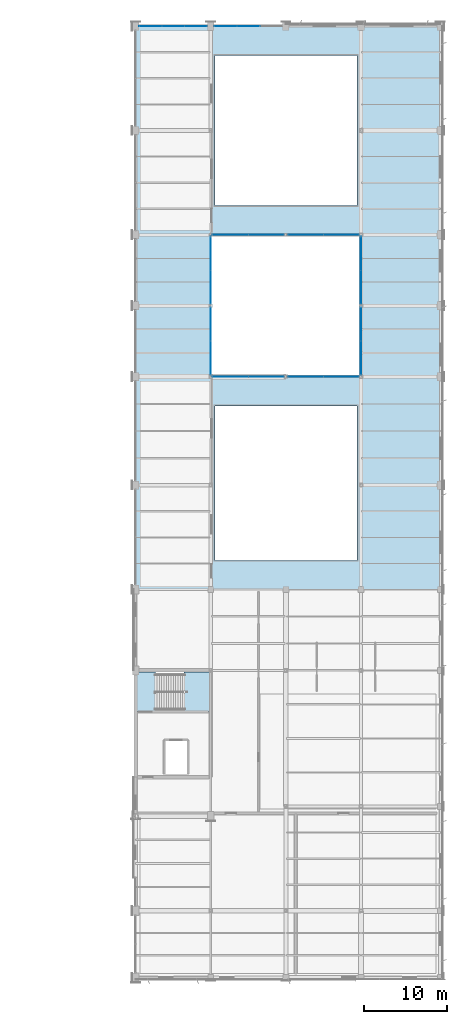
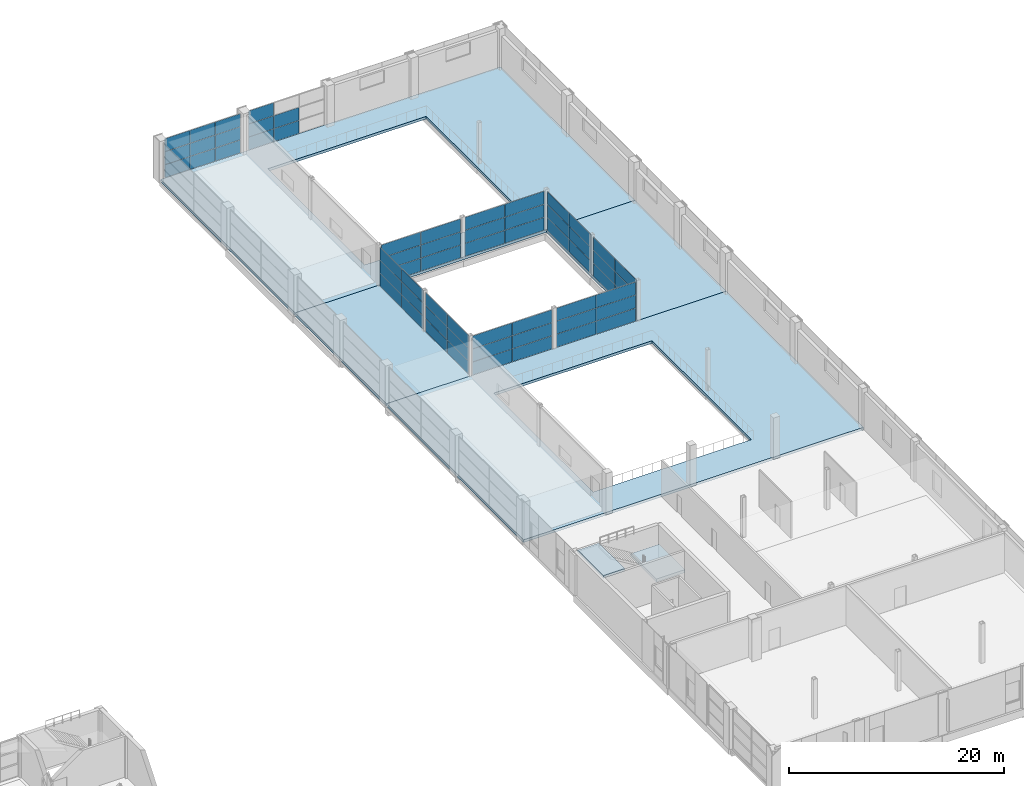
# One storey, part 88 of 112: 62 plates, 6 slabs, 11 elements without a shape of their own.
"""IFC4 building model written with IfcOpenShell, lengths in metres."""

import ifcopenshell
import ifcopenshell.guid

model = None  # the IFC model being written
_history = None  # IfcOwnerHistory: only IFC2X3 demands one
_inside = {}  # id of a spatial element -> (the spatial element, [elements in it])
_under = {}  # id of a project, library or spatial element -> (it, [spatial elements below it])
_declared = {}  # id of a project -> (the project, [libraries it declares])
_typed = {}  # id of a type object -> (the type object, [elements of that type])
_made_of = {}  # id of a material, layer set ... -> (it, [elements and type objects made of it])


def new_model(schema):
    """Start an empty IFC model of exactly this schema.

    Asked for "IFC4X3", IfcOpenShell would pick the latest addendum, in which some entities
    have other attributes; the version numbers below select the first issue.
    IFC2X3 requires an IfcOwnerHistory on every rooted entity: one is made here for all.
    """
    global model, _history
    if schema == "IFC4X3":
        model = ifcopenshell.file(schema_version=(4, 3, 0, 0))
    else:
        model = ifcopenshell.file(schema=schema)
    _inside.clear()
    _under.clear()
    _declared.clear()
    _typed.clear()
    _made_of.clear()
    _history = None
    if model.schema == "IFC2X3":
        org = make("IfcOrganization", Name="unknown")
        user = make(
            "IfcPersonAndOrganization",
            ThePerson=make("IfcPerson", FamilyName="unknown"),
            TheOrganization=org,
        )
        app = make(
            "IfcApplication",
            ApplicationDeveloper=org,
            Version="unknown",
            ApplicationFullName="unknown",
            ApplicationIdentifier="unknown",
        )
        _history = make(
            "IfcOwnerHistory",
            OwningUser=user,
            OwningApplication=app,
            ChangeAction="ADDED",
            CreationDate=0,
        )
    return model


def make(cls, **values):
    """One entity of the class cls with the attributes given. An attribute that is None is left unset."""
    return model.create_entity(
        cls, **{name: value for name, value in values.items() if value is not None}
    )


def rooted(cls, **values):
    """An entity with a GlobalId (a new one), such as an element, a storey or a relation."""
    return make(cls, GlobalId=ifcopenshell.guid.new(), OwnerHistory=_history, **values)


def si_unit(unit_type, name, prefix=None):
    """IfcSIUnit, for example si_unit("LENGTHUNIT", "METRE", prefix="MILLI")."""
    return make("IfcSIUnit", UnitType=unit_type, Prefix=prefix, Name=name)


def assignment(units):
    """IfcUnitAssignment: the units of a project."""
    return None if units is None else make("IfcUnitAssignment", Units=units)


def point(xyz):
    """IfcCartesianPoint."""
    return None if xyz is None else make("IfcCartesianPoint", Coordinates=xyz)


def direction(xyz):
    """IfcDirection."""
    return None if xyz is None else make("IfcDirection", DirectionRatios=xyz)


def frame(location, z_axis=None, x_axis=None):
    """IfcAxis2Placement3D, a coordinate frame: its origin and axes. An axis left out is left unset."""
    return make(
        "IfcAxis2Placement3D",
        Location=point(location),
        Axis=direction(z_axis),
        RefDirection=direction(x_axis),
    )


def frame_2d(location, x_axis=None):
    """IfcAxis2Placement2D, a coordinate frame in the plane: its origin and x axis."""
    return make(
        "IfcAxis2Placement2D", Location=point(location), RefDirection=direction(x_axis)
    )


def origin():
    """The frame at (0, 0, 0) with its axes left unset."""
    return frame((0.0, 0.0, 0.0))


def origin_2d():
    """The frame at (0, 0) in the plane with its x axis left unset."""
    return frame_2d((0.0, 0.0))


def place(relative_to, where):
    """IfcLocalPlacement: puts the frame where relative to a parent placement (None: the world)."""
    return make(
        "IfcLocalPlacement", PlacementRelTo=relative_to, RelativePlacement=where
    )


def context(
    kind, dimensions, precision=None, world=None, true_north=None, identifier=None
):
    """IfcGeometricRepresentationContext, for example the 3D "Model" context."""
    return make(
        "IfcGeometricRepresentationContext",
        ContextIdentifier=identifier,
        ContextType=kind,
        CoordinateSpaceDimension=dimensions,
        Precision=precision,
        WorldCoordinateSystem=world,
        TrueNorth=true_north,
    )


def subcontext(parent, identifier, kind, view, scale=None):
    """IfcGeometricRepresentationSubContext, for example "Body" below "Model"."""
    return make(
        "IfcGeometricRepresentationSubContext",
        ContextIdentifier=identifier,
        ContextType=kind,
        ParentContext=parent,
        TargetScale=scale,
        TargetView=view,
    )


def project(units=None, contexts=None):
    """IfcProject with its units and contexts."""
    return rooted(
        "IfcProject",
        Name="project",
        RepresentationContexts=contexts,
        UnitsInContext=assignment(units),
    )


def spatial(cls, under=None, at=None, **own):
    """A site, building, storey or space (cls), placed at a placement, below another one or the project."""
    s = rooted(cls, ObjectPlacement=at, **own)
    if under is not None:
        _under.setdefault(under.id(), (under, []))[1].append(s)
    return s


def polyline(points):
    """IfcPolyline through the points."""
    return make("IfcPolyline", Points=[point(p) for p in points])


def profile(cls, at=None, kind="AREA", **sizes):
    """A parametric profile (cls). Its sizes go by their IFC names, for example OverallWidth=200.0."""
    return make(cls, ProfileType=kind, Position=at, **sizes)


def rectangle(**sizes):
    """IfcRectangleProfileDef."""
    return profile("IfcRectangleProfileDef", **sizes)


def outline(outer, holes=None, kind="AREA"):
    """IfcArbitraryClosedProfileDef: a profile drawn as a closed curve; with holes, ...WithVoids."""
    if holes is None:
        return make("IfcArbitraryClosedProfileDef", ProfileType=kind, OuterCurve=outer)
    return make(
        "IfcArbitraryProfileDefWithVoids",
        ProfileType=kind,
        OuterCurve=outer,
        InnerCurves=holes,
    )


def extrude(swept, where, along, depth):
    """IfcExtrudedAreaSolid: the profile swept, set in the frame where, extruded along a direction by depth."""
    return make(
        "IfcExtrudedAreaSolid",
        SweptArea=swept,
        Position=where,
        ExtrudedDirection=direction(along),
        Depth=depth,
    )


def shape(context_of_items, identifier, shape_type, items):
    """IfcShapeRepresentation: the items that make up one representation, for example the "Body"."""
    return make(
        "IfcShapeRepresentation",
        ContextOfItems=context_of_items,
        RepresentationIdentifier=identifier,
        RepresentationType=shape_type,
        Items=items,
    )


def material(Name=None, Category=None):
    """IfcMaterial."""
    return make("IfcMaterial", Name=Name, Category=Category)


def layer(
    of_material, thickness, ventilated=None, Name=None, Category=None, Priority=None
):
    """IfcMaterialLayer: one layer of a wall or slab, of a material (None: an air gap)."""
    return make(
        "IfcMaterialLayer",
        Material=of_material,
        LayerThickness=thickness,
        IsVentilated=ventilated,
        Name=Name,
        Category=Category,
        Priority=Priority,
    )


def layer_set(layers, Name=None):
    """IfcMaterialLayerSet."""
    return make("IfcMaterialLayerSet", MaterialLayers=layers, LayerSetName=Name)


def made_of(thing, what):
    """Note that an element or type object is made of a material, layer set ...; save() writes the relation."""
    if what is not None:
        _made_of.setdefault(what.id(), (what, []))[1].append(thing)
    return thing


def type_object(cls, material=None, **own):
    """A type object (cls), such as IfcWallType, which elements share."""
    return made_of(rooted(cls, **own), material)


def element(
    cls,
    number,
    at=None,
    inside=None,
    cuts=None,
    type_object=None,
    material=None,
    context=None,
    identifier="Body",
    shape_type=None,
    held_by="IfcProductDefinitionShape",
    body=None,
    shapes=None,
    **own,
):
    """One element of the class cls, such as IfcWall. Its Tag is "e" and its number.

    at: its placement. inside: the storey or other place that contains it. cuts: it is an
    opening in that element (IfcRelVoidsElement). A single representation is given by context,
    identifier, shape_type and body (its items); several are given by shapes. held_by: the class
    of the entity that holds the representations. save() writes the other relations.
    """
    e = rooted(cls, Tag="e%d" % number, ObjectPlacement=at, **own)
    if body is not None:
        shapes = [shape(context, identifier, shape_type, body)]
    if shapes is not None:
        e.Representation = make(held_by, Representations=shapes)
    if inside is not None:
        _inside.setdefault(inside.id(), (inside, []))[1].append(e)
    if cuts is not None:
        rooted(
            "IfcRelVoidsElement", RelatingBuildingElement=cuts, RelatedOpeningElement=e
        )
    if type_object is not None:
        _typed.setdefault(type_object.id(), (type_object, []))[1].append(e)
    return made_of(e, material)


def aggregate(whole, parts):
    """IfcRelAggregates: a whole, such as a stair, and the parts it consists of."""
    return rooted("IfcRelAggregates", RelatingObject=whole, RelatedObjects=parts)


def save(model, path):
    """Write the relations noted so far, then the file.

    IfcRelAggregates (storeys below a building ...), IfcRelContainedInSpatialStructure (elements
    in a storey), IfcRelDefinesByType, IfcRelAssociatesMaterial and IfcRelDeclares: one each for
    every whole, place, type object, material and project.
    """
    for whole, parts in _under.values():
        aggregate(whole, parts)
    for where, things in _inside.values():
        rooted(
            "IfcRelContainedInSpatialStructure",
            RelatedElements=things,
            RelatingStructure=where,
        )
    for kind, things in _typed.values():
        rooted("IfcRelDefinesByType", RelatedObjects=things, RelatingType=kind)
    for what, things in _made_of.values():
        rooted("IfcRelAssociatesMaterial", RelatedObjects=things, RelatingMaterial=what)
    for by, libraries in _declared.values():
        rooted("IfcRelDeclares", RelatingContext=by, RelatedDefinitions=libraries)
    model.write(path)


model = new_model("IFC4")

# Units and contexts
model_context = context("Model", 3, precision=1e-05, world=origin(), true_north=direction((0.0, 1.0)))
body_context = subcontext(model_context, "Body", "Model", "MODEL_VIEW")
ifc_project = project(units=[si_unit("LENGTHUNIT", "METRE"), si_unit("AREAUNIT", "SQUARE_METRE"), si_unit("VOLUMEUNIT", "CUBIC_METRE"), si_unit("PLANEANGLEUNIT", "RADIAN"), si_unit("MASSUNIT", "GRAM", prefix="KILO")], contexts=[model_context])

# Site, building, storey
site_placement = place(None, origin())
site = spatial("IfcSite", under=ifc_project, at=site_placement, CompositionType="ELEMENT")
building_placement = place(site_placement, origin())
building = spatial("IfcBuilding", under=site, at=building_placement, Name="Solvikara Media Centre", CompositionType="ELEMENT")
storey_placement = place(building_placement, frame((0.0, 0.0, 5.39990234375)))
storey = spatial("IfcBuildingStorey", under=building, at=storey_placement, Name="L01", CompositionType="ELEMENT", Elevation=5.39990234375)

# Curtain wall, plates
ifc_material_1 = material(Name="Anodised aluminium EN AW-6063", Category="aluminium")
curtain_wall_type = type_object("IfcCurtainWallType", Name="CW-12", PredefinedType="NOTDEFINED", material=ifc_material_1)
curtain_wall_1_placement = place(storey_placement, origin())
curtain_wall_1 = element("IfcCurtainWall", 1, at=curtain_wall_1_placement, inside=storey, type_object=curtain_wall_type, Name="CW-L01-V2N-S1", PredefinedType="NOTDEFINED")
ifc_material_2 = material(Name="Ceramic-fritted teal low-E glass", Category="glass")
ifc_layer_1 = layer(ifc_material_2, 0.0380859375)
ifc_layer_set_1 = layer_set([ifc_layer_1], Name="Ceramic-fritted teal low-E glass")
plate_type = type_object("IfcPlateType", Name="PN-12", PredefinedType="CURTAIN_PANEL", material=ifc_layer_set_1)
plate_1_placement = place(storey_placement, frame((129.29296875, 114.0, 0.03466796875), z_axis=(0.0, 0.0, 1.0), x_axis=(1.0, 0.0, 0.0)))
plate_1 = element("IfcPlate", 2, at=plate_1_placement, type_object=plate_type, Name="CW-L01-V2N-S1-P0000", PredefinedType="CURTAIN_PANEL", context=body_context, shape_type="SweptSolid", body=[
    extrude(rectangle(XDim=2.677001953125, YDim=0.0380859375, at=origin_2d()), origin(), (0.0, 0.0, 1.0), 1.45703125),
])
plate_2_placement = place(storey_placement, frame((129.29296875, 114.0, 1.521484375), z_axis=(0.0, 0.0, 1.0), x_axis=(1.0, 0.0, 0.0)))
plate_2 = element("IfcPlate", 3, at=plate_2_placement, type_object=plate_type, Name="CW-L01-V2N-S1-P0001", PredefinedType="CURTAIN_PANEL", context=body_context, shape_type="SweptSolid", body=[
    extrude(rectangle(XDim=2.677001953125, YDim=0.0380859375, at=origin_2d()), origin(), (0.0, 0.0, 1.0), 1.45703125),
])
plate_3_placement = place(storey_placement, frame((129.29296875, 114.0, 3.008544921875), z_axis=(0.0, 0.0, 1.0), x_axis=(1.0, 0.0, 0.0)))
plate_3 = element("IfcPlate", 4, at=plate_3_placement, type_object=plate_type, Name="CW-L01-V2N-S1-P0002", PredefinedType="CURTAIN_PANEL", context=body_context, shape_type="SweptSolid", body=[
    extrude(rectangle(XDim=2.677001953125, YDim=0.0380859375, at=origin_2d()), origin(), (0.0, 0.0, 1.0), 1.45703125),
])
plate_4_placement = place(storey_placement, frame((132.0, 114.0, 0.03466796875), z_axis=(0.0, 0.0, 1.0), x_axis=(1.0, 0.0, 0.0)))
plate_4 = element("IfcPlate", 5, at=plate_4_placement, type_object=plate_type, Name="CW-L01-V2N-S1-P0100", PredefinedType="CURTAIN_PANEL", context=body_context, shape_type="SweptSolid", body=[
    extrude(rectangle(XDim=2.677001953125, YDim=0.0380859375, at=origin_2d()), origin(), (0.0, 0.0, 1.0), 1.45703125),
])
plate_5_placement = place(storey_placement, frame((132.0, 114.0, 1.521484375), z_axis=(0.0, 0.0, 1.0), x_axis=(1.0, 0.0, 0.0)))
plate_5 = element("IfcPlate", 6, at=plate_5_placement, type_object=plate_type, Name="CW-L01-V2N-S1-P0101", PredefinedType="CURTAIN_PANEL", context=body_context, shape_type="SweptSolid", body=[
    extrude(rectangle(XDim=2.677001953125, YDim=0.0380859375, at=origin_2d()), origin(), (0.0, 0.0, 1.0), 1.45703125),
])
plate_6_placement = place(storey_placement, frame((132.0, 114.0, 3.008544921875), z_axis=(0.0, 0.0, 1.0), x_axis=(1.0, 0.0, 0.0)))
plate_6 = element("IfcPlate", 7, at=plate_6_placement, type_object=plate_type, Name="CW-L01-V2N-S1-P0102", PredefinedType="CURTAIN_PANEL", context=body_context, shape_type="SweptSolid", body=[
    extrude(rectangle(XDim=2.677001953125, YDim=0.0380859375, at=origin_2d()), origin(), (0.0, 0.0, 1.0), 1.45703125),
])
plate_7_placement = place(storey_placement, frame((134.70703125, 114.0, 0.03466796875), z_axis=(0.0, 0.0, 1.0), x_axis=(1.0, 0.0, 0.0)))
plate_7 = element("IfcPlate", 8, at=plate_7_placement, type_object=plate_type, Name="CW-L01-V2N-S1-P0200", PredefinedType="CURTAIN_PANEL", context=body_context, shape_type="SweptSolid", body=[
    extrude(rectangle(XDim=2.677001953125, YDim=0.0380859375, at=origin_2d()), origin(), (0.0, 0.0, 1.0), 1.45703125),
])
plate_8_placement = place(storey_placement, frame((134.70703125, 114.0, 1.521484375), z_axis=(0.0, 0.0, 1.0), x_axis=(1.0, 0.0, 0.0)))
plate_8 = element("IfcPlate", 9, at=plate_8_placement, type_object=plate_type, Name="CW-L01-V2N-S1-P0201", PredefinedType="CURTAIN_PANEL", context=body_context, shape_type="SweptSolid", body=[
    extrude(rectangle(XDim=2.677001953125, YDim=0.0380859375, at=origin_2d()), origin(), (0.0, 0.0, 1.0), 1.45703125),
])
plate_9_placement = place(storey_placement, frame((134.70703125, 114.0, 3.008544921875), z_axis=(0.0, 0.0, 1.0), x_axis=(1.0, 0.0, 0.0)))
plate_9 = element("IfcPlate", 10, at=plate_9_placement, type_object=plate_type, Name="CW-L01-V2N-S1-P0202", PredefinedType="CURTAIN_PANEL", context=body_context, shape_type="SweptSolid", body=[
    extrude(rectangle(XDim=2.677001953125, YDim=0.0380859375, at=origin_2d()), origin(), (0.0, 0.0, 1.0), 1.45703125),
])
aggregate(curtain_wall_1, [plate_1, plate_2, plate_3, plate_4, plate_5, plate_6, plate_7, plate_8, plate_9])

curtain_wall_2_placement = place(storey_placement, origin())
curtain_wall_2 = element("IfcCurtainWall", 11, at=curtain_wall_2_placement, inside=storey, type_object=curtain_wall_type, Name="CW-L01-V2N-S2", PredefinedType="NOTDEFINED")
plate_10_placement = place(storey_placement, frame((138.29296875, 114.0, 0.03466796875), z_axis=(0.0, 0.0, 1.0), x_axis=(1.0, 0.0, 0.0)))
plate_10 = element("IfcPlate", 12, at=plate_10_placement, type_object=plate_type, Name="CW-L01-V2N-S2-P0000", PredefinedType="CURTAIN_PANEL", context=body_context, shape_type="SweptSolid", body=[
    extrude(rectangle(XDim=2.677001953125, YDim=0.0380859375, at=origin_2d()), origin(), (0.0, 0.0, 1.0), 1.45703125),
])
plate_11_placement = place(storey_placement, frame((138.29296875, 114.0, 1.521484375), z_axis=(0.0, 0.0, 1.0), x_axis=(1.0, 0.0, 0.0)))
plate_11 = element("IfcPlate", 13, at=plate_11_placement, type_object=plate_type, Name="CW-L01-V2N-S2-P0001", PredefinedType="CURTAIN_PANEL", context=body_context, shape_type="SweptSolid", body=[
    extrude(rectangle(XDim=2.677001953125, YDim=0.0380859375, at=origin_2d()), origin(), (0.0, 0.0, 1.0), 1.45703125),
])
plate_12_placement = place(storey_placement, frame((138.29296875, 114.0, 3.008544921875), z_axis=(0.0, 0.0, 1.0), x_axis=(1.0, 0.0, 0.0)))
plate_12 = element("IfcPlate", 14, at=plate_12_placement, type_object=plate_type, Name="CW-L01-V2N-S2-P0002", PredefinedType="CURTAIN_PANEL", context=body_context, shape_type="SweptSolid", body=[
    extrude(rectangle(XDim=2.677001953125, YDim=0.0380859375, at=origin_2d()), origin(), (0.0, 0.0, 1.0), 1.45703125),
])
plate_13_placement = place(storey_placement, frame((141.0, 114.0, 0.03466796875), z_axis=(0.0, 0.0, 1.0), x_axis=(1.0, 0.0, 0.0)))
plate_13 = element("IfcPlate", 15, at=plate_13_placement, type_object=plate_type, Name="CW-L01-V2N-S2-P0100", PredefinedType="CURTAIN_PANEL", context=body_context, shape_type="SweptSolid", body=[
    extrude(rectangle(XDim=2.677001953125, YDim=0.0380859375, at=origin_2d()), origin(), (0.0, 0.0, 1.0), 1.45703125),
])
plate_14_placement = place(storey_placement, frame((141.0, 114.0, 1.521484375), z_axis=(0.0, 0.0, 1.0), x_axis=(1.0, 0.0, 0.0)))
plate_14 = element("IfcPlate", 16, at=plate_14_placement, type_object=plate_type, Name="CW-L01-V2N-S2-P0101", PredefinedType="CURTAIN_PANEL", context=body_context, shape_type="SweptSolid", body=[
    extrude(rectangle(XDim=2.677001953125, YDim=0.0380859375, at=origin_2d()), origin(), (0.0, 0.0, 1.0), 1.45703125),
])
aggregate(curtain_wall_2, [plate_10, plate_11, plate_12, plate_13, plate_14])

curtain_wall_3_placement = place(storey_placement, origin())
curtain_wall_3 = element("IfcCurtainWall", 17, at=curtain_wall_3_placement, inside=storey, type_object=curtain_wall_type, Name="CW-L01-CRT-1-S1", PredefinedType="NOTDEFINED")
plate_15_placement = place(storey_placement, frame((138.8701171875, 72.0, 0.03466796875), z_axis=(0.0, 0.0, 1.0), x_axis=(1.0, 0.0, 0.0)))
plate_15 = element("IfcPlate", 18, at=plate_15_placement, type_object=plate_type, Name="CW-L01-CRT-1-S1-P0000", PredefinedType="CURTAIN_PANEL", context=body_context, shape_type="SweptSolid", body=[
    extrude(rectangle(XDim=4.22998046875, YDim=0.0380859375, at=origin_2d()), origin(), (0.0, 0.0, 1.0), 1.45703125),
])
plate_16_placement = place(storey_placement, frame((138.8701171875, 72.0, 1.521484375), z_axis=(0.0, 0.0, 1.0), x_axis=(1.0, 0.0, 0.0)))
plate_16 = element("IfcPlate", 19, at=plate_16_placement, type_object=plate_type, Name="CW-L01-CRT-1-S1-P0001", PredefinedType="CURTAIN_PANEL", context=body_context, shape_type="SweptSolid", body=[
    extrude(rectangle(XDim=4.22998046875, YDim=0.0380859375, at=origin_2d()), origin(), (0.0, 0.0, 1.0), 1.45703125),
])
plate_17_placement = place(storey_placement, frame((138.8701171875, 72.0, 3.008544921875), z_axis=(0.0, 0.0, 1.0), x_axis=(1.0, 0.0, 0.0)))
plate_17 = element("IfcPlate", 20, at=plate_17_placement, type_object=plate_type, Name="CW-L01-CRT-1-S1-P0002", PredefinedType="CURTAIN_PANEL", context=body_context, shape_type="SweptSolid", body=[
    extrude(rectangle(XDim=4.22998046875, YDim=0.0380859375, at=origin_2d()), origin(), (0.0, 0.0, 1.0), 1.45703125),
])
plate_18_placement = place(storey_placement, frame((143.1298828125, 72.0, 0.03466796875), z_axis=(0.0, 0.0, 1.0), x_axis=(1.0, 0.0, 0.0)))
plate_18 = element("IfcPlate", 21, at=plate_18_placement, type_object=plate_type, Name="CW-L01-CRT-1-S1-P0100", PredefinedType="CURTAIN_PANEL", context=body_context, shape_type="SweptSolid", body=[
    extrude(rectangle(XDim=4.22998046875, YDim=0.0380859375, at=origin_2d()), origin(), (0.0, 0.0, 1.0), 1.45703125),
])
plate_19_placement = place(storey_placement, frame((143.1298828125, 72.0, 1.521484375), z_axis=(0.0, 0.0, 1.0), x_axis=(1.0, 0.0, 0.0)))
plate_19 = element("IfcPlate", 22, at=plate_19_placement, type_object=plate_type, Name="CW-L01-CRT-1-S1-P0101", PredefinedType="CURTAIN_PANEL", context=body_context, shape_type="SweptSolid", body=[
    extrude(rectangle(XDim=4.22998046875, YDim=0.0380859375, at=origin_2d()), origin(), (0.0, 0.0, 1.0), 1.45703125),
])
plate_20_placement = place(storey_placement, frame((143.1298828125, 72.0, 3.008544921875), z_axis=(0.0, 0.0, 1.0), x_axis=(1.0, 0.0, 0.0)))
plate_20 = element("IfcPlate", 23, at=plate_20_placement, type_object=plate_type, Name="CW-L01-CRT-1-S1-P0102", PredefinedType="CURTAIN_PANEL", context=body_context, shape_type="SweptSolid", body=[
    extrude(rectangle(XDim=4.22998046875, YDim=0.0380859375, at=origin_2d()), origin(), (0.0, 0.0, 1.0), 1.45703125),
])
aggregate(curtain_wall_3, [plate_15, plate_16, plate_17, plate_18, plate_19, plate_20])

curtain_wall_4_placement = place(storey_placement, origin())
curtain_wall_4 = element("IfcCurtainWall", 24, at=curtain_wall_4_placement, inside=storey, type_object=curtain_wall_type, Name="CW-L01-CRT-1-S2", PredefinedType="NOTDEFINED")
plate_21_placement = place(storey_placement, frame((147.8701171875, 72.0, 0.03466796875), z_axis=(0.0, 0.0, 1.0), x_axis=(1.0, 0.0, 0.0)))
plate_21 = element("IfcPlate", 25, at=plate_21_placement, type_object=plate_type, Name="CW-L01-CRT-1-S2-P0000", PredefinedType="CURTAIN_PANEL", context=body_context, shape_type="SweptSolid", body=[
    extrude(rectangle(XDim=4.22998046875, YDim=0.0380859375, at=origin_2d()), origin(), (0.0, 0.0, 1.0), 1.45703125),
])
plate_22_placement = place(storey_placement, frame((147.8701171875, 72.0, 1.521484375), z_axis=(0.0, 0.0, 1.0), x_axis=(1.0, 0.0, 0.0)))
plate_22 = element("IfcPlate", 26, at=plate_22_placement, type_object=plate_type, Name="CW-L01-CRT-1-S2-P0001", PredefinedType="CURTAIN_PANEL", context=body_context, shape_type="SweptSolid", body=[
    extrude(rectangle(XDim=4.22998046875, YDim=0.0380859375, at=origin_2d()), origin(), (0.0, 0.0, 1.0), 1.45703125),
])
plate_23_placement = place(storey_placement, frame((147.8701171875, 72.0, 3.008544921875), z_axis=(0.0, 0.0, 1.0), x_axis=(1.0, 0.0, 0.0)))
plate_23 = element("IfcPlate", 27, at=plate_23_placement, type_object=plate_type, Name="CW-L01-CRT-1-S2-P0002", PredefinedType="CURTAIN_PANEL", context=body_context, shape_type="SweptSolid", body=[
    extrude(rectangle(XDim=4.22998046875, YDim=0.0380859375, at=origin_2d()), origin(), (0.0, 0.0, 1.0), 1.45703125),
])
plate_24_placement = place(storey_placement, frame((152.1298828125, 72.0, 0.03466796875), z_axis=(0.0, 0.0, 1.0), x_axis=(1.0, 0.0, 0.0)))
plate_24 = element("IfcPlate", 28, at=plate_24_placement, type_object=plate_type, Name="CW-L01-CRT-1-S2-P0100", PredefinedType="CURTAIN_PANEL", context=body_context, shape_type="SweptSolid", body=[
    extrude(rectangle(XDim=4.22998046875, YDim=0.0380859375, at=origin_2d()), origin(), (0.0, 0.0, 1.0), 1.45703125),
])
plate_25_placement = place(storey_placement, frame((152.1298828125, 72.0, 1.521484375), z_axis=(0.0, 0.0, 1.0), x_axis=(1.0, 0.0, 0.0)))
plate_25 = element("IfcPlate", 29, at=plate_25_placement, type_object=plate_type, Name="CW-L01-CRT-1-S2-P0101", PredefinedType="CURTAIN_PANEL", context=body_context, shape_type="SweptSolid", body=[
    extrude(rectangle(XDim=4.22998046875, YDim=0.0380859375, at=origin_2d()), origin(), (0.0, 0.0, 1.0), 1.45703125),
])
plate_26_placement = place(storey_placement, frame((152.1298828125, 72.0, 3.008544921875), z_axis=(0.0, 0.0, 1.0), x_axis=(1.0, 0.0, 0.0)))
plate_26 = element("IfcPlate", 30, at=plate_26_placement, type_object=plate_type, Name="CW-L01-CRT-1-S2-P0102", PredefinedType="CURTAIN_PANEL", context=body_context, shape_type="SweptSolid", body=[
    extrude(rectangle(XDim=4.22998046875, YDim=0.0380859375, at=origin_2d()), origin(), (0.0, 0.0, 1.0), 1.45703125),
])
aggregate(curtain_wall_4, [plate_21, plate_22, plate_23, plate_24, plate_25, plate_26])

curtain_wall_5_placement = place(storey_placement, origin())
curtain_wall_5 = element("IfcCurtainWall", 31, at=curtain_wall_5_placement, inside=storey, type_object=curtain_wall_type, Name="CW-L01-CRT-2-S1", PredefinedType="NOTDEFINED")
plate_27_placement = place(storey_placement, frame((154.5, 74.2451171875, 0.03466796875), z_axis=(0.0, 0.0, 1.0), x_axis=(0.0, 1.0, 0.0)))
plate_27 = element("IfcPlate", 32, at=plate_27_placement, type_object=plate_type, Name="CW-L01-CRT-2-S1-P0000", PredefinedType="CURTAIN_PANEL", context=body_context, shape_type="SweptSolid", body=[
    extrude(rectangle(XDim=3.97998046875, YDim=0.0380859375, at=origin_2d()), origin(), (0.0, 0.0, 1.0), 1.45703125),
])
plate_28_placement = place(storey_placement, frame((154.5, 74.2451171875, 1.521484375), z_axis=(0.0, 0.0, 1.0), x_axis=(0.0, 1.0, 0.0)))
plate_28 = element("IfcPlate", 33, at=plate_28_placement, type_object=plate_type, Name="CW-L01-CRT-2-S1-P0001", PredefinedType="CURTAIN_PANEL", context=body_context, shape_type="SweptSolid", body=[
    extrude(rectangle(XDim=3.97998046875, YDim=0.0380859375, at=origin_2d()), origin(), (0.0, 0.0, 1.0), 1.45703125),
])
plate_29_placement = place(storey_placement, frame((154.5, 74.2451171875, 3.008544921875), z_axis=(0.0, 0.0, 1.0), x_axis=(0.0, 1.0, 0.0)))
plate_29 = element("IfcPlate", 34, at=plate_29_placement, type_object=plate_type, Name="CW-L01-CRT-2-S1-P0002", PredefinedType="CURTAIN_PANEL", context=body_context, shape_type="SweptSolid", body=[
    extrude(rectangle(XDim=3.97998046875, YDim=0.0380859375, at=origin_2d()), origin(), (0.0, 0.0, 1.0), 1.45703125),
])
plate_30_placement = place(storey_placement, frame((154.5, 78.2548828125, 0.03466796875), z_axis=(0.0, 0.0, 1.0), x_axis=(0.0, 1.0, 0.0)))
plate_30 = element("IfcPlate", 35, at=plate_30_placement, type_object=plate_type, Name="CW-L01-CRT-2-S1-P0100", PredefinedType="CURTAIN_PANEL", context=body_context, shape_type="SweptSolid", body=[
    extrude(rectangle(XDim=3.97998046875, YDim=0.0380859375, at=origin_2d()), origin(), (0.0, 0.0, 1.0), 1.45703125),
])
plate_31_placement = place(storey_placement, frame((154.5, 78.2548828125, 1.521484375), z_axis=(0.0, 0.0, 1.0), x_axis=(0.0, 1.0, 0.0)))
plate_31 = element("IfcPlate", 36, at=plate_31_placement, type_object=plate_type, Name="CW-L01-CRT-2-S1-P0101", PredefinedType="CURTAIN_PANEL", context=body_context, shape_type="SweptSolid", body=[
    extrude(rectangle(XDim=3.97998046875, YDim=0.0380859375, at=origin_2d()), origin(), (0.0, 0.0, 1.0), 1.45703125),
])
plate_32_placement = place(storey_placement, frame((154.5, 78.2548828125, 3.008544921875), z_axis=(0.0, 0.0, 1.0), x_axis=(0.0, 1.0, 0.0)))
plate_32 = element("IfcPlate", 37, at=plate_32_placement, type_object=plate_type, Name="CW-L01-CRT-2-S1-P0102", PredefinedType="CURTAIN_PANEL", context=body_context, shape_type="SweptSolid", body=[
    extrude(rectangle(XDim=3.97998046875, YDim=0.0380859375, at=origin_2d()), origin(), (0.0, 0.0, 1.0), 1.45703125),
])
aggregate(curtain_wall_5, [plate_27, plate_28, plate_29, plate_30, plate_31, plate_32])

curtain_wall_6_placement = place(storey_placement, origin())
curtain_wall_6 = element("IfcCurtainWall", 38, at=curtain_wall_6_placement, inside=storey, type_object=curtain_wall_type, Name="CW-L01-CRT-2-S2", PredefinedType="NOTDEFINED")
plate_33_placement = place(storey_placement, frame((154.5, 82.7451171875, 0.03466796875), z_axis=(0.0, 0.0, 1.0), x_axis=(0.0, 1.0, 0.0)))
plate_33 = element("IfcPlate", 39, at=plate_33_placement, type_object=plate_type, Name="CW-L01-CRT-2-S2-P0000", PredefinedType="CURTAIN_PANEL", context=body_context, shape_type="SweptSolid", body=[
    extrude(rectangle(XDim=3.97998046875, YDim=0.0380859375, at=origin_2d()), origin(), (0.0, 0.0, 1.0), 1.45703125),
])
plate_34_placement = place(storey_placement, frame((154.5, 82.7451171875, 1.521484375), z_axis=(0.0, 0.0, 1.0), x_axis=(0.0, 1.0, 0.0)))
plate_34 = element("IfcPlate", 40, at=plate_34_placement, type_object=plate_type, Name="CW-L01-CRT-2-S2-P0001", PredefinedType="CURTAIN_PANEL", context=body_context, shape_type="SweptSolid", body=[
    extrude(rectangle(XDim=3.97998046875, YDim=0.0380859375, at=origin_2d()), origin(), (0.0, 0.0, 1.0), 1.45703125),
])
plate_35_placement = place(storey_placement, frame((154.5, 82.7451171875, 3.008544921875), z_axis=(0.0, 0.0, 1.0), x_axis=(0.0, 1.0, 0.0)))
plate_35 = element("IfcPlate", 41, at=plate_35_placement, type_object=plate_type, Name="CW-L01-CRT-2-S2-P0002", PredefinedType="CURTAIN_PANEL", context=body_context, shape_type="SweptSolid", body=[
    extrude(rectangle(XDim=3.97998046875, YDim=0.0380859375, at=origin_2d()), origin(), (0.0, 0.0, 1.0), 1.45703125),
])
plate_36_placement = place(storey_placement, frame((154.5, 86.7548828125, 0.03466796875), z_axis=(0.0, 0.0, 1.0), x_axis=(0.0, 1.0, 0.0)))
plate_36 = element("IfcPlate", 42, at=plate_36_placement, type_object=plate_type, Name="CW-L01-CRT-2-S2-P0100", PredefinedType="CURTAIN_PANEL", context=body_context, shape_type="SweptSolid", body=[
    extrude(rectangle(XDim=3.97998046875, YDim=0.0380859375, at=origin_2d()), origin(), (0.0, 0.0, 1.0), 1.45703125),
])
plate_37_placement = place(storey_placement, frame((154.5, 86.7548828125, 1.521484375), z_axis=(0.0, 0.0, 1.0), x_axis=(0.0, 1.0, 0.0)))
plate_37 = element("IfcPlate", 43, at=plate_37_placement, type_object=plate_type, Name="CW-L01-CRT-2-S2-P0101", PredefinedType="CURTAIN_PANEL", context=body_context, shape_type="SweptSolid", body=[
    extrude(rectangle(XDim=3.97998046875, YDim=0.0380859375, at=origin_2d()), origin(), (0.0, 0.0, 1.0), 1.45703125),
])
plate_38_placement = place(storey_placement, frame((154.5, 86.7548828125, 3.008544921875), z_axis=(0.0, 0.0, 1.0), x_axis=(0.0, 1.0, 0.0)))
plate_38 = element("IfcPlate", 44, at=plate_38_placement, type_object=plate_type, Name="CW-L01-CRT-2-S2-P0102", PredefinedType="CURTAIN_PANEL", context=body_context, shape_type="SweptSolid", body=[
    extrude(rectangle(XDim=3.97998046875, YDim=0.0380859375, at=origin_2d()), origin(), (0.0, 0.0, 1.0), 1.45703125),
])
aggregate(curtain_wall_6, [plate_33, plate_34, plate_35, plate_36, plate_37, plate_38])

curtain_wall_7_placement = place(storey_placement, origin())
curtain_wall_7 = element("IfcCurtainWall", 45, at=curtain_wall_7_placement, inside=storey, type_object=curtain_wall_type, Name="CW-L01-CRT-3-S1", PredefinedType="NOTDEFINED")
plate_39_placement = place(storey_placement, frame((152.1298828125, 89.0, 0.03466796875), z_axis=(0.0, 0.0, 1.0), x_axis=(-1.0, 0.0, 0.0)))
plate_39 = element("IfcPlate", 46, at=plate_39_placement, type_object=plate_type, Name="CW-L01-CRT-3-S1-P0000", PredefinedType="CURTAIN_PANEL", context=body_context, shape_type="SweptSolid", body=[
    extrude(rectangle(XDim=4.22998046875, YDim=0.0380859375, at=origin_2d()), origin(), (0.0, 0.0, 1.0), 1.45703125),
])
plate_40_placement = place(storey_placement, frame((152.1298828125, 89.0, 1.521484375), z_axis=(0.0, 0.0, 1.0), x_axis=(-1.0, 0.0, 0.0)))
plate_40 = element("IfcPlate", 47, at=plate_40_placement, type_object=plate_type, Name="CW-L01-CRT-3-S1-P0001", PredefinedType="CURTAIN_PANEL", context=body_context, shape_type="SweptSolid", body=[
    extrude(rectangle(XDim=4.22998046875, YDim=0.0380859375, at=origin_2d()), origin(), (0.0, 0.0, 1.0), 1.45703125),
])
plate_41_placement = place(storey_placement, frame((152.1298828125, 89.0, 3.008544921875), z_axis=(0.0, 0.0, 1.0), x_axis=(-1.0, 0.0, 0.0)))
plate_41 = element("IfcPlate", 48, at=plate_41_placement, type_object=plate_type, Name="CW-L01-CRT-3-S1-P0002", PredefinedType="CURTAIN_PANEL", context=body_context, shape_type="SweptSolid", body=[
    extrude(rectangle(XDim=4.22998046875, YDim=0.0380859375, at=origin_2d()), origin(), (0.0, 0.0, 1.0), 1.45703125),
])
plate_42_placement = place(storey_placement, frame((147.8701171875, 89.0, 0.03466796875), z_axis=(0.0, 0.0, 1.0), x_axis=(-1.0, 0.0, 0.0)))
plate_42 = element("IfcPlate", 49, at=plate_42_placement, type_object=plate_type, Name="CW-L01-CRT-3-S1-P0100", PredefinedType="CURTAIN_PANEL", context=body_context, shape_type="SweptSolid", body=[
    extrude(rectangle(XDim=4.22998046875, YDim=0.0380859375, at=origin_2d()), origin(), (0.0, 0.0, 1.0), 1.45703125),
])
plate_43_placement = place(storey_placement, frame((147.8701171875, 89.0, 1.521484375), z_axis=(0.0, 0.0, 1.0), x_axis=(-1.0, 0.0, 0.0)))
plate_43 = element("IfcPlate", 50, at=plate_43_placement, type_object=plate_type, Name="CW-L01-CRT-3-S1-P0101", PredefinedType="CURTAIN_PANEL", context=body_context, shape_type="SweptSolid", body=[
    extrude(rectangle(XDim=4.22998046875, YDim=0.0380859375, at=origin_2d()), origin(), (0.0, 0.0, 1.0), 1.45703125),
])
plate_44_placement = place(storey_placement, frame((147.8701171875, 89.0, 3.008544921875), z_axis=(0.0, 0.0, 1.0), x_axis=(-1.0, 0.0, 0.0)))
plate_44 = element("IfcPlate", 51, at=plate_44_placement, type_object=plate_type, Name="CW-L01-CRT-3-S1-P0102", PredefinedType="CURTAIN_PANEL", context=body_context, shape_type="SweptSolid", body=[
    extrude(rectangle(XDim=4.22998046875, YDim=0.0380859375, at=origin_2d()), origin(), (0.0, 0.0, 1.0), 1.45703125),
])
aggregate(curtain_wall_7, [plate_39, plate_40, plate_41, plate_42, plate_43, plate_44])

curtain_wall_8_placement = place(storey_placement, origin())
curtain_wall_8 = element("IfcCurtainWall", 52, at=curtain_wall_8_placement, inside=storey, type_object=curtain_wall_type, Name="CW-L01-CRT-3-S2", PredefinedType="NOTDEFINED")
plate_45_placement = place(storey_placement, frame((143.1298828125, 89.0, 0.03466796875), z_axis=(0.0, 0.0, 1.0), x_axis=(-1.0, 0.0, 0.0)))
plate_45 = element("IfcPlate", 53, at=plate_45_placement, type_object=plate_type, Name="CW-L01-CRT-3-S2-P0000", PredefinedType="CURTAIN_PANEL", context=body_context, shape_type="SweptSolid", body=[
    extrude(rectangle(XDim=4.22998046875, YDim=0.0380859375, at=origin_2d()), origin(), (0.0, 0.0, 1.0), 1.45703125),
])
plate_46_placement = place(storey_placement, frame((143.1298828125, 89.0, 1.521484375), z_axis=(0.0, 0.0, 1.0), x_axis=(-1.0, 0.0, 0.0)))
plate_46 = element("IfcPlate", 54, at=plate_46_placement, type_object=plate_type, Name="CW-L01-CRT-3-S2-P0001", PredefinedType="CURTAIN_PANEL", context=body_context, shape_type="SweptSolid", body=[
    extrude(rectangle(XDim=4.22998046875, YDim=0.0380859375, at=origin_2d()), origin(), (0.0, 0.0, 1.0), 1.45703125),
])
plate_47_placement = place(storey_placement, frame((143.1298828125, 89.0, 3.008544921875), z_axis=(0.0, 0.0, 1.0), x_axis=(-1.0, 0.0, 0.0)))
plate_47 = element("IfcPlate", 55, at=plate_47_placement, type_object=plate_type, Name="CW-L01-CRT-3-S2-P0002", PredefinedType="CURTAIN_PANEL", context=body_context, shape_type="SweptSolid", body=[
    extrude(rectangle(XDim=4.22998046875, YDim=0.0380859375, at=origin_2d()), origin(), (0.0, 0.0, 1.0), 1.45703125),
])
plate_48_placement = place(storey_placement, frame((138.8701171875, 89.0, 0.03466796875), z_axis=(0.0, 0.0, 1.0), x_axis=(-1.0, 0.0, 0.0)))
plate_48 = element("IfcPlate", 56, at=plate_48_placement, type_object=plate_type, Name="CW-L01-CRT-3-S2-P0100", PredefinedType="CURTAIN_PANEL", context=body_context, shape_type="SweptSolid", body=[
    extrude(rectangle(XDim=4.22998046875, YDim=0.0380859375, at=origin_2d()), origin(), (0.0, 0.0, 1.0), 1.45703125),
])
plate_49_placement = place(storey_placement, frame((138.8701171875, 89.0, 1.521484375), z_axis=(0.0, 0.0, 1.0), x_axis=(-1.0, 0.0, 0.0)))
plate_49 = element("IfcPlate", 57, at=plate_49_placement, type_object=plate_type, Name="CW-L01-CRT-3-S2-P0101", PredefinedType="CURTAIN_PANEL", context=body_context, shape_type="SweptSolid", body=[
    extrude(rectangle(XDim=4.22998046875, YDim=0.0380859375, at=origin_2d()), origin(), (0.0, 0.0, 1.0), 1.45703125),
])
plate_50_placement = place(storey_placement, frame((138.8701171875, 89.0, 3.008544921875), z_axis=(0.0, 0.0, 1.0), x_axis=(-1.0, 0.0, 0.0)))
plate_50 = element("IfcPlate", 58, at=plate_50_placement, type_object=plate_type, Name="CW-L01-CRT-3-S2-P0102", PredefinedType="CURTAIN_PANEL", context=body_context, shape_type="SweptSolid", body=[
    extrude(rectangle(XDim=4.22998046875, YDim=0.0380859375, at=origin_2d()), origin(), (0.0, 0.0, 1.0), 1.45703125),
])
aggregate(curtain_wall_8, [plate_45, plate_46, plate_47, plate_48, plate_49, plate_50])

curtain_wall_9_placement = place(storey_placement, origin())
curtain_wall_9 = element("IfcCurtainWall", 59, at=curtain_wall_9_placement, inside=storey, type_object=curtain_wall_type, Name="CW-L01-CRT-4-S1", PredefinedType="NOTDEFINED")
plate_51_placement = place(storey_placement, frame((136.5, 86.7548828125, 0.03466796875), z_axis=(0.0, 0.0, 1.0), x_axis=(0.0, -1.0, 0.0)))
plate_51 = element("IfcPlate", 60, at=plate_51_placement, type_object=plate_type, Name="CW-L01-CRT-4-S1-P0000", PredefinedType="CURTAIN_PANEL", context=body_context, shape_type="SweptSolid", body=[
    extrude(rectangle(XDim=3.97998046875, YDim=0.0380859375, at=origin_2d()), origin(), (0.0, 0.0, 1.0), 1.45703125),
])
plate_52_placement = place(storey_placement, frame((136.5, 86.7548828125, 1.521484375), z_axis=(0.0, 0.0, 1.0), x_axis=(0.0, -1.0, 0.0)))
plate_52 = element("IfcPlate", 61, at=plate_52_placement, type_object=plate_type, Name="CW-L01-CRT-4-S1-P0001", PredefinedType="CURTAIN_PANEL", context=body_context, shape_type="SweptSolid", body=[
    extrude(rectangle(XDim=3.97998046875, YDim=0.0380859375, at=origin_2d()), origin(), (0.0, 0.0, 1.0), 1.45703125),
])
plate_53_placement = place(storey_placement, frame((136.5, 86.7548828125, 3.008544921875), z_axis=(0.0, 0.0, 1.0), x_axis=(0.0, -1.0, 0.0)))
plate_53 = element("IfcPlate", 62, at=plate_53_placement, type_object=plate_type, Name="CW-L01-CRT-4-S1-P0002", PredefinedType="CURTAIN_PANEL", context=body_context, shape_type="SweptSolid", body=[
    extrude(rectangle(XDim=3.97998046875, YDim=0.0380859375, at=origin_2d()), origin(), (0.0, 0.0, 1.0), 1.45703125),
])
plate_54_placement = place(storey_placement, frame((136.5, 82.7451171875, 0.03466796875), z_axis=(0.0, 0.0, 1.0), x_axis=(0.0, -1.0, 0.0)))
plate_54 = element("IfcPlate", 63, at=plate_54_placement, type_object=plate_type, Name="CW-L01-CRT-4-S1-P0100", PredefinedType="CURTAIN_PANEL", context=body_context, shape_type="SweptSolid", body=[
    extrude(rectangle(XDim=3.97998046875, YDim=0.0380859375, at=origin_2d()), origin(), (0.0, 0.0, 1.0), 1.45703125),
])
plate_55_placement = place(storey_placement, frame((136.5, 82.7451171875, 1.521484375), z_axis=(0.0, 0.0, 1.0), x_axis=(0.0, -1.0, 0.0)))
plate_55 = element("IfcPlate", 64, at=plate_55_placement, type_object=plate_type, Name="CW-L01-CRT-4-S1-P0101", PredefinedType="CURTAIN_PANEL", context=body_context, shape_type="SweptSolid", body=[
    extrude(rectangle(XDim=3.97998046875, YDim=0.0380859375, at=origin_2d()), origin(), (0.0, 0.0, 1.0), 1.45703125),
])
plate_56_placement = place(storey_placement, frame((136.5, 82.7451171875, 3.008544921875), z_axis=(0.0, 0.0, 1.0), x_axis=(0.0, -1.0, 0.0)))
plate_56 = element("IfcPlate", 65, at=plate_56_placement, type_object=plate_type, Name="CW-L01-CRT-4-S1-P0102", PredefinedType="CURTAIN_PANEL", context=body_context, shape_type="SweptSolid", body=[
    extrude(rectangle(XDim=3.97998046875, YDim=0.0380859375, at=origin_2d()), origin(), (0.0, 0.0, 1.0), 1.45703125),
])
aggregate(curtain_wall_9, [plate_51, plate_52, plate_53, plate_54, plate_55, plate_56])

curtain_wall_10_placement = place(storey_placement, origin())
curtain_wall_10 = element("IfcCurtainWall", 66, at=curtain_wall_10_placement, inside=storey, type_object=curtain_wall_type, Name="CW-L01-CRT-4-S2", PredefinedType="NOTDEFINED")
plate_57_placement = place(storey_placement, frame((136.5, 78.2548828125, 0.03466796875), z_axis=(0.0, 0.0, 1.0), x_axis=(0.0, -1.0, 0.0)))
plate_57 = element("IfcPlate", 67, at=plate_57_placement, type_object=plate_type, Name="CW-L01-CRT-4-S2-P0000", PredefinedType="CURTAIN_PANEL", context=body_context, shape_type="SweptSolid", body=[
    extrude(rectangle(XDim=3.97998046875, YDim=0.0380859375, at=origin_2d()), origin(), (0.0, 0.0, 1.0), 1.45703125),
])
plate_58_placement = place(storey_placement, frame((136.5, 78.2548828125, 1.521484375), z_axis=(0.0, 0.0, 1.0), x_axis=(0.0, -1.0, 0.0)))
plate_58 = element("IfcPlate", 68, at=plate_58_placement, type_object=plate_type, Name="CW-L01-CRT-4-S2-P0001", PredefinedType="CURTAIN_PANEL", context=body_context, shape_type="SweptSolid", body=[
    extrude(rectangle(XDim=3.97998046875, YDim=0.0380859375, at=origin_2d()), origin(), (0.0, 0.0, 1.0), 1.45703125),
])
plate_59_placement = place(storey_placement, frame((136.5, 78.2548828125, 3.008544921875), z_axis=(0.0, 0.0, 1.0), x_axis=(0.0, -1.0, 0.0)))
plate_59 = element("IfcPlate", 69, at=plate_59_placement, type_object=plate_type, Name="CW-L01-CRT-4-S2-P0002", PredefinedType="CURTAIN_PANEL", context=body_context, shape_type="SweptSolid", body=[
    extrude(rectangle(XDim=3.97998046875, YDim=0.0380859375, at=origin_2d()), origin(), (0.0, 0.0, 1.0), 1.45703125),
])
plate_60_placement = place(storey_placement, frame((136.5, 74.2451171875, 0.03466796875), z_axis=(0.0, 0.0, 1.0), x_axis=(0.0, -1.0, 0.0)))
plate_60 = element("IfcPlate", 70, at=plate_60_placement, type_object=plate_type, Name="CW-L01-CRT-4-S2-P0100", PredefinedType="CURTAIN_PANEL", context=body_context, shape_type="SweptSolid", body=[
    extrude(rectangle(XDim=3.97998046875, YDim=0.0380859375, at=origin_2d()), origin(), (0.0, 0.0, 1.0), 1.45703125),
])
plate_61_placement = place(storey_placement, frame((136.5, 74.2451171875, 1.521484375), z_axis=(0.0, 0.0, 1.0), x_axis=(0.0, -1.0, 0.0)))
plate_61 = element("IfcPlate", 71, at=plate_61_placement, type_object=plate_type, Name="CW-L01-CRT-4-S2-P0101", PredefinedType="CURTAIN_PANEL", context=body_context, shape_type="SweptSolid", body=[
    extrude(rectangle(XDim=3.97998046875, YDim=0.0380859375, at=origin_2d()), origin(), (0.0, 0.0, 1.0), 1.45703125),
])
plate_62_placement = place(storey_placement, frame((136.5, 74.2451171875, 3.008544921875), z_axis=(0.0, 0.0, 1.0), x_axis=(0.0, -1.0, 0.0)))
plate_62 = element("IfcPlate", 72, at=plate_62_placement, type_object=plate_type, Name="CW-L01-CRT-4-S2-P0102", PredefinedType="CURTAIN_PANEL", context=body_context, shape_type="SweptSolid", body=[
    extrude(rectangle(XDim=3.97998046875, YDim=0.0380859375, at=origin_2d()), origin(), (0.0, 0.0, 1.0), 1.45703125),
])
aggregate(curtain_wall_10, [plate_57, plate_58, plate_59, plate_60, plate_61, plate_62])

# Slabs
ifc_material_3 = material(Name="Concrete fc' 35 MPa (C35/45)", Category="concrete")
ifc_layer_2 = layer(ifc_material_3, 0.300048828125)
ifc_layer_set_2 = layer_set([ifc_layer_2], Name="Concrete fc' 35 MPa (C35/45)")
slab_type_1 = type_object("IfcSlabType", Name="ST-04", PredefinedType="FLOOR", material=ifc_layer_set_2)
slab_1_placement = place(storey_placement, frame((0.0, 0.0, -0.2998046875)))
element("IfcSlab", 73, at=slab_1_placement, inside=storey, type_object=slab_type_1, Name="SL-L01-V2S", PredefinedType="FLOOR", context=body_context, shape_type="SweptSolid", body=[
    extrude(outline(polyline([(127.5, 46.5), (164.0, 46.5), (164.0, 72.0), (127.5, 72.0), (127.5, 46.5)]), holes=[polyline([(137.0, 50.0), (154.0, 50.0), (154.0, 68.5), (137.0, 68.5), (137.0, 50.0)])]), origin(), (0.0, 0.0, 1.0), 0.2998046875),
])
slab_2_placement = place(storey_placement, frame((0.0, 0.0, -0.2998046875)))
element("IfcSlab", 74, at=slab_2_placement, inside=storey, type_object=slab_type_1, Name="SL-L01-V2W", PredefinedType="FLOOR", context=body_context, shape_type="SweptSolid", body=[
    extrude(outline(polyline([(127.5, 72.0), (136.5, 72.0), (136.5, 89.0), (127.5, 89.0), (127.5, 72.0)])), origin(), (0.0, 0.0, 1.0), 0.2998046875),
])
slab_3_placement = place(storey_placement, frame((0.0, 0.0, -0.2998046875)))
element("IfcSlab", 75, at=slab_3_placement, inside=storey, type_object=slab_type_1, Name="SL-L01-V2E", PredefinedType="FLOOR", context=body_context, shape_type="SweptSolid", body=[
    extrude(outline(polyline([(154.5, 72.0), (164.0, 72.0), (164.0, 89.0), (154.5, 89.0), (154.5, 72.0)])), origin(), (0.0, 0.0, 1.0), 0.2998046875),
])
slab_4_placement = place(storey_placement, frame((0.0, 0.0, -0.2998046875)))
element("IfcSlab", 76, at=slab_4_placement, inside=storey, type_object=slab_type_1, Name="SL-L01-V2N", PredefinedType="FLOOR", context=body_context, shape_type="SweptSolid", body=[
    extrude(outline(polyline([(127.5, 89.0), (164.0, 89.0), (164.0, 114.0), (127.5, 114.0), (127.5, 89.0)]), holes=[polyline([(137.0, 92.5), (154.0, 92.5), (154.0, 110.5), (137.0, 110.5), (137.0, 92.5)])]), origin(), (0.0, 0.0, 1.0), 0.2998046875),
])

# Stair, slabs
stair_type = type_object("IfcStairType", Name="SR-01", PredefinedType="HALF_TURN_STAIR", material=ifc_material_3)
stair_placement = place(storey_placement, origin())
stair = element("IfcStair", 77, at=stair_placement, inside=storey, type_object=stair_type, Name="ST-C4-L01", PredefinedType="HALF_TURN_STAIR")
ifc_layer_3 = layer(ifc_material_3, 0.330078125)
ifc_layer_set_3 = layer_set([ifc_layer_3], Name="Concrete fc' 35 MPa (C35/45)")
slab_type_2 = type_object("IfcSlabType", Name="ST-15", PredefinedType="LANDING", material=ifc_layer_set_3)
slab_5_placement = place(storey_placement, frame((0.0, 0.0, 2.070068359375)))
slab_5 = element("IfcSlab", 78, at=slab_5_placement, type_object=slab_type_2, Name="ST-C4-L01-LND", PredefinedType="LANDING", context=body_context, shape_type="SweptSolid", body=[
    extrude(outline(polyline([(133.300048828125, 31.85009765625), (136.3798828125, 31.85009765625), (136.3798828125, 36.6201171875), (133.300048828125, 36.6201171875), (133.300048828125, 31.85009765625)])), origin(), (0.0, 0.0, 1.0), 0.330078125),
])
slab_6_placement = place(storey_placement, frame((0.0, 0.0, 4.47021484375)))
slab_6 = element("IfcSlab", 79, at=slab_6_placement, type_object=slab_type_2, Name="ST-C4-L01-ARR", PredefinedType="LANDING", context=body_context, shape_type="SweptSolid", body=[
    extrude(outline(polyline([(127.6201171875, 31.85009765625), (129.89990234375, 31.85009765625), (129.89990234375, 36.6201171875), (127.6201171875, 36.6201171875), (127.6201171875, 31.85009765625)])), origin(), (0.0, 0.0, 1.0), 0.329833984375),
])
aggregate(stair, [slab_5, slab_6])

save(model, "model.ifc")
